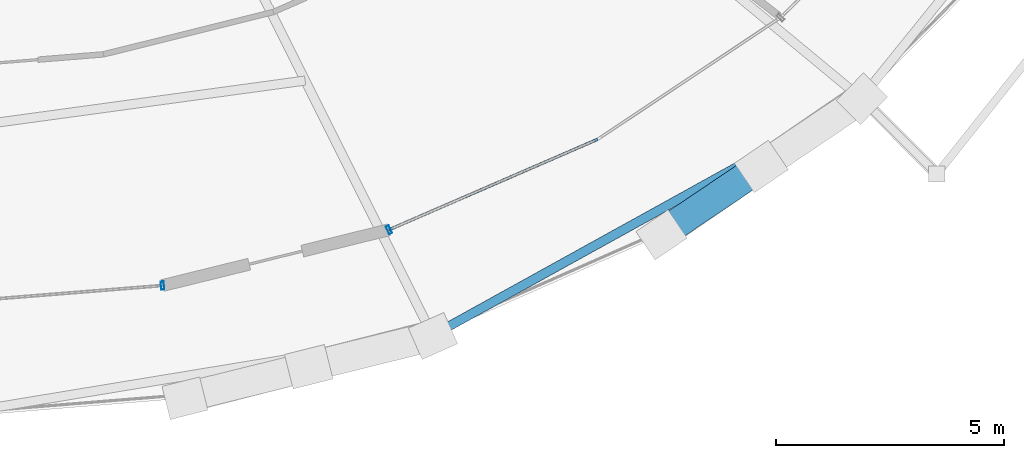
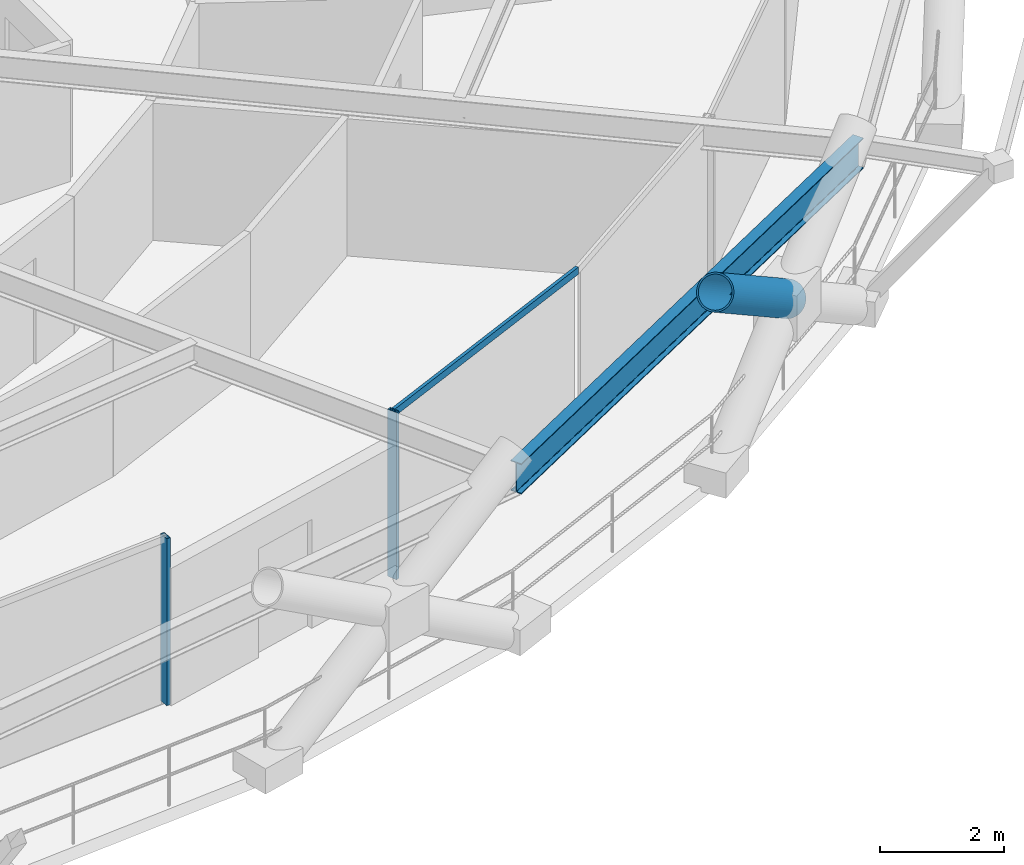
# One storey, part 6 of 20: 4 members, 1 beam, 2 elements without a shape of their own.
"""IFC4 building model written with IfcOpenShell, lengths in metres."""

from ifc_helpers import new_model, si_unit, direction, frame, origin, origin_2d, place, context, subcontext, project, spatial, hollow_rectangle, hollow_circle, i_section, extrude, material, layer, layer_set, material_profile, profile_set, type_object, element, aggregate, save


model = new_model("IFC4")

# Units and contexts
model_context = context("Model", 3, precision=1e-05, world=origin(), true_north=direction((0.0, 1.0)))
body_context = subcontext(model_context, "Body", "Model", "MODEL_VIEW")
ifc_project = project(units=[si_unit("LENGTHUNIT", "METRE"), si_unit("AREAUNIT", "SQUARE_METRE"), si_unit("VOLUMEUNIT", "CUBIC_METRE"), si_unit("PLANEANGLEUNIT", "RADIAN"), si_unit("MASSUNIT", "GRAM", prefix="KILO")], contexts=[model_context])

# Site, building, storey
site_placement = place(None, origin())
site = spatial("IfcSite", under=ifc_project, at=site_placement, CompositionType="ELEMENT")
building_placement = place(site_placement, origin())
building = spatial("IfcBuilding", under=site, at=building_placement, Name="Veldorina Hangang Commons", CompositionType="ELEMENT")
storey_placement = place(building_placement, frame((0.0, 0.0, 84.39990234375)))
storey = spatial("IfcBuildingStorey", under=building, at=storey_placement, Name="L21", CompositionType="ELEMENT", Elevation=84.39990234375)

# Beam
ifc_material_1 = material(Name="Steel SM420-TMC", Category="steel")
ifc_material_profile_1 = material_profile(ifc_material_1, i_section(OverallWidth=0.199951171875, OverallDepth=0.60009765625, WebThickness=0.010986328125, FlangeThickness=0.01708984375, FilletRadius=0.01806640625, at=origin_2d()), Name="H-600x200x11x17")
ifc_profile_set_1 = profile_set([ifc_material_profile_1], Name="Steel SM420-TMC")
beam_type = type_object("IfcBeamType", Name="BM-RB600", PredefinedType="BEAM", material=ifc_profile_set_1)
beam_placement = place(storey_placement, frame((43.080810546875, 1.85546875, 3.0400390625), z_axis=(0.875069702145, 0.483996917746, 0.0), x_axis=(-0.483996917746, 0.875069702145, 0.0)))
element("IfcBeam", 1, at=beam_placement, inside=storey, type_object=beam_type, Name="L21 perimeter hoop ring beam 26", PredefinedType="BEAM", context=body_context, shape_type="SweptSolid", body=[
    extrude(i_section(OverallWidth=0.199951171875, OverallDepth=0.60009765625, WebThickness=0.010986328125, FlangeThickness=0.01708984375, FilletRadius=0.01806640625, at=origin_2d()), origin(), (0.0, 0.0, 1.0), 10.735107421875),
])

# Curtain wall, member
ifc_material_2 = material(Name="Glass Low-E Triple IGU", Category="glass")
ifc_layer = layer(ifc_material_2, 0.179931640625)
ifc_layer_set = layer_set([ifc_layer], Name="Glass Low-E Triple IGU")
curtain_wall_type = type_object("IfcCurtainWallType", Name="CW-SYS-Z1", PredefinedType="NOTDEFINED", material=ifc_layer_set)
curtain_wall_1_placement = place(storey_placement, origin())
curtain_wall_1 = element("IfcCurtainWall", 2, at=curtain_wall_1_placement, inside=storey, type_object=curtain_wall_type, Name="L21 unitised curtain wall CW-L21-R1", PredefinedType="NOTDEFINED")
ifc_material_3 = material(Name="Aluminium Anodized AA6063-T6", Category="aluminium")
ifc_material_profile_2 = material_profile(ifc_material_3, hollow_rectangle(XDim=0.070068359375, YDim=0.179931640625, WallThickness=0.00390625, at=origin_2d()), Name="ALU-RHS-180x70x4")
ifc_profile_set_2 = profile_set([ifc_material_profile_2], Name="Aluminium Anodized AA6063-T6")
member_type_1 = type_object("IfcMemberType", Name="CW-MUL-180", PredefinedType="MULLION", material=ifc_profile_set_2)
member_1_placement = place(storey_placement, frame((37.161865234375, 2.947021484375, 0.0), z_axis=(0.0, 0.0, 1.0), x_axis=(-0.996823514521, -0.079642205503, 0.0)))
member_1 = element("IfcMember", 3, at=member_1_placement, type_object=member_type_1, Name="CW-L21-R1 vertical mullion 5", PredefinedType="MULLION", context=body_context, shape_type="SweptSolid", body=[
    extrude(hollow_rectangle(XDim=0.070068359375, YDim=0.179931640625, WallThickness=0.00390625, at=origin_2d()), origin(), (0.0, 0.0, 1.0), 3.300048828125),
])
aggregate(curtain_wall_1, [member_1])

# Curtain wall, members
curtain_wall_2_placement = place(storey_placement, origin())
curtain_wall_2 = element("IfcCurtainWall", 4, at=curtain_wall_2_placement, inside=storey, type_object=curtain_wall_type, Name="L21 unitised curtain wall CW-L21-R2", PredefinedType="NOTDEFINED")
member_2_placement = place(storey_placement, frame((42.12548828125, 4.168701171875, 0.0), z_axis=(0.0, 0.0, 1.0), x_axis=(0.91744936741, 0.397852558416, 0.0)))
member_2 = element("IfcMember", 5, at=member_2_placement, type_object=member_type_1, Name="CW-L21-R2 vertical mullion 1", PredefinedType="MULLION", context=body_context, shape_type="SweptSolid", body=[
    extrude(hollow_rectangle(XDim=0.070068359375, YDim=0.179931640625, WallThickness=0.00390625, at=origin_2d()), origin(), (0.0, 0.0, 1.0), 3.300048828125),
])
ifc_material_profile_3 = material_profile(ifc_material_3, hollow_rectangle(XDim=0.06005859375, YDim=0.139892578125, WallThickness=0.00341796875, at=origin_2d()), Name="ALU-RHS-140x60x3.5")
ifc_profile_set_3 = profile_set([ifc_material_profile_3], Name="Aluminium Anodized AA6063-T6")
member_type_2 = type_object("IfcMemberType", Name="CW-TRN-140", PredefinedType="USERDEFINED", material=ifc_profile_set_3)
member_3_placement = place(storey_placement, frame((42.12548828125, 4.168701171875, 3.260009765625), z_axis=(0.917447213196, 0.397857526004, 0.0), x_axis=(-0.397857526004, 0.917447213196, 0.0)))
member_3 = element("IfcMember", 6, at=member_3_placement, type_object=member_type_2, Name="CW-L21-R2 facet 1 transom 1", ObjectType="TRANSOM", PredefinedType="USERDEFINED", context=body_context, shape_type="SweptSolid", body=[
    extrude(hollow_rectangle(XDim=0.06005859375, YDim=0.139892578125, WallThickness=0.00341796875, at=origin_2d()), origin(), (0.0, 0.0, 1.0), 4.98583984375),
])
aggregate(curtain_wall_2, [member_2, member_3])

# Member
ifc_material_4 = material(Name="Steel SM460-TMC", Category="steel")
ifc_material_profile_4 = material_profile(ifc_material_4, hollow_circle(Radius=0.324951171875, WallThickness=0.031982421875, at=origin_2d()), Name="CHS-650x32")
ifc_profile_set_4 = profile_set([ifc_material_profile_4], Name="Steel SM460-TMC")
member_type_3 = type_object("IfcMemberType", Name="DG-CHS650", PredefinedType="BRACE", material=ifc_profile_set_4)
member_4_placement = place(storey_placement, frame((50.286865234375, 5.555908203125, 1.80078125), z_axis=(-0.686606048447, -0.462431457241, 0.561007381048), x_axis=(0.558619744969, -0.829423884712, 0.0)))
element("IfcMember", 7, at=member_4_placement, inside=storey, type_object=member_type_3, Name="L21 split perimeter diagrid upper brace 28", PredefinedType="BRACE", context=body_context, shape_type="SweptSolid", body=[
    extrude(hollow_circle(Radius=0.324951171875, WallThickness=0.031982421875, at=origin_2d()), origin(), (0.0, 0.0, 1.0), 3.207275390625),
])

save(model, "model.ifc")
